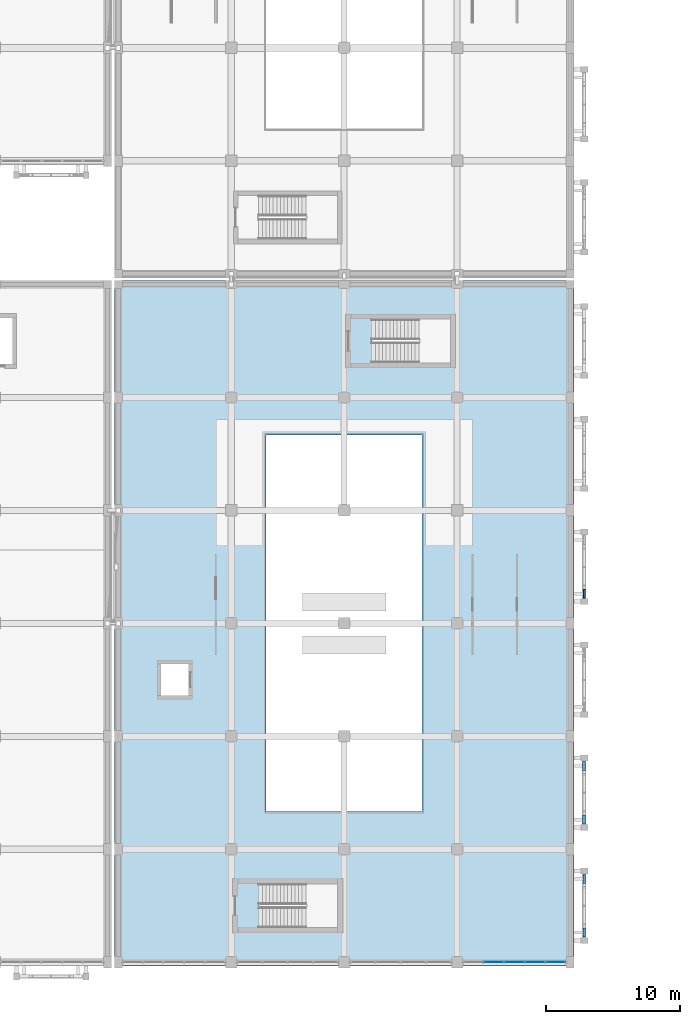
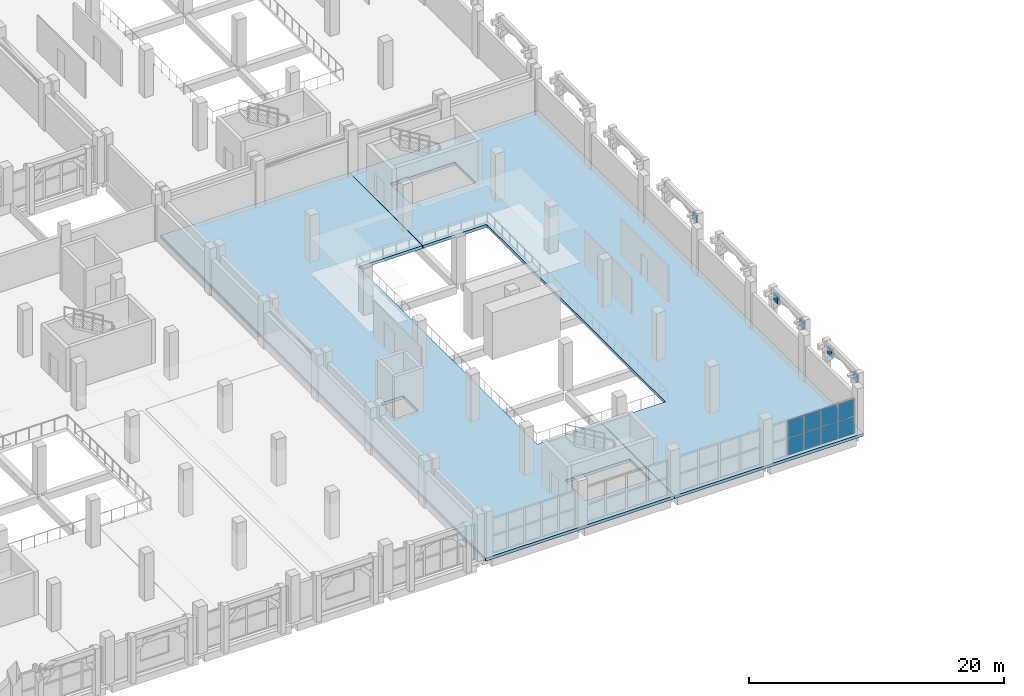
# One storey, part 94 of 137: 13 plates, 2 slabs, 1 element without a shape of its own.
"""IFC4 building model written with IfcOpenShell, lengths in metres."""

from ifc_helpers import new_model, si_unit, direction, frame, origin, origin_2d, place, context, subcontext, project, spatial, polyline, rectangle, outline, extrude, material, layer, layer_set, type_object, element, aggregate, save


model = new_model("IFC4")

# Units and contexts
model_context = context("Model", 3, precision=1e-05, world=origin(), true_north=direction((0.0, 1.0)))
body_context = subcontext(model_context, "Body", "Model", "MODEL_VIEW")
ifc_project = project(units=[si_unit("LENGTHUNIT", "METRE"), si_unit("AREAUNIT", "SQUARE_METRE"), si_unit("VOLUMEUNIT", "CUBIC_METRE"), si_unit("PLANEANGLEUNIT", "RADIAN"), si_unit("MASSUNIT", "GRAM", prefix="KILO")], contexts=[model_context])

# Site, building, storey
site_placement = place(None, origin())
site = spatial("IfcSite", under=ifc_project, at=site_placement, CompositionType="ELEMENT")
building_placement = place(site_placement, origin())
building = spatial("IfcBuilding", under=site, at=building_placement, Name="Xazarin Passage Department Store", CompositionType="ELEMENT")
storey_placement = place(building_placement, frame((0.0, 0.0, 5.39990234375)))
storey = spatial("IfcBuildingStorey", under=building, at=storey_placement, Name="L01", CompositionType="ELEMENT", Elevation=5.39990234375)

# Curtain wall, plates
ifc_material_1 = material(Name="Bronze anodised aluminium", Category="aluminium")
ifc_layer_1 = layer(ifc_material_1, 0.159912109375)
ifc_layer_set_1 = layer_set([ifc_layer_1], Name="Bronze anodised aluminium")
curtain_wall_type = type_object("IfcCurtainWallType", Name="ARC-CW-ARC1", PredefinedType="NOTDEFINED", material=ifc_layer_set_1)
curtain_wall_placement = place(storey_placement, origin())
curtain_wall = element("IfcCurtainWall", 1, at=curtain_wall_placement, inside=storey, type_object=curtain_wall_type, Name="L01 V2S Curtain Wall 103", PredefinedType="NOTDEFINED")
ifc_material_2 = material(Name="Low-E laminated safety glass", Category="glass")
ifc_layer_2 = layer(ifc_material_2, 0.028076171875)
ifc_layer_set_2 = layer_set([ifc_layer_2], Name="Low-E laminated safety glass")
plate_type_1 = type_object("IfcPlateType", Name="ARC-CWP-GLZ28", PredefinedType="CURTAIN_PANEL", material=ifc_layer_set_2)
plate_1_placement = place(storey_placement, frame((95.927490234375, 0.0, 0.065185546875), z_axis=(0.0, 0.0, 1.0), x_axis=(1.0, 0.0, 0.0)))
plate_1 = element("IfcPlate", 2, at=plate_1_placement, type_object=plate_type_1, Name="CW3 panel 2.1", PredefinedType="CURTAIN_PANEL", context=body_context, shape_type="SweptSolid", body=[
    extrude(rectangle(XDim=1.469970703125, YDim=0.028076171875, at=origin_2d()), origin(), (0.0, 0.0, 1.0), 1.62744140625),
])
plate_2_placement = place(storey_placement, frame((95.927490234375, 0.0, 1.757568359375), z_axis=(0.0, 0.0, 1.0), x_axis=(1.0, 0.0, 0.0)))
plate_2 = element("IfcPlate", 3, at=plate_2_placement, type_object=plate_type_1, Name="CW3 panel 2.2", PredefinedType="CURTAIN_PANEL", context=body_context, shape_type="SweptSolid", body=[
    extrude(rectangle(XDim=1.469970703125, YDim=0.028076171875, at=origin_2d()), origin(), (0.0, 0.0, 1.0), 1.62744140625),
])
plate_3_placement = place(storey_placement, frame((97.46240234375, 0.0, 0.065185546875), z_axis=(0.0, 0.0, 1.0), x_axis=(1.0, 0.0, 0.0)))
plate_3 = element("IfcPlate", 4, at=plate_3_placement, type_object=plate_type_1, Name="CW3 panel 3.1", PredefinedType="CURTAIN_PANEL", context=body_context, shape_type="SweptSolid", body=[
    extrude(rectangle(XDim=1.469970703125, YDim=0.028076171875, at=origin_2d()), origin(), (0.0, 0.0, 1.0), 1.62744140625),
])
plate_4_placement = place(storey_placement, frame((97.46240234375, 0.0, 1.757568359375), z_axis=(0.0, 0.0, 1.0), x_axis=(1.0, 0.0, 0.0)))
plate_4 = element("IfcPlate", 5, at=plate_4_placement, type_object=plate_type_1, Name="CW3 panel 3.2", PredefinedType="CURTAIN_PANEL", context=body_context, shape_type="SweptSolid", body=[
    extrude(rectangle(XDim=1.469970703125, YDim=0.028076171875, at=origin_2d()), origin(), (0.0, 0.0, 1.0), 1.62744140625),
])
plate_5_placement = place(storey_placement, frame((98.99755859375, 0.0, 0.065185546875), z_axis=(0.0, 0.0, 1.0), x_axis=(1.0, 0.0, 0.0)))
plate_5 = element("IfcPlate", 6, at=plate_5_placement, type_object=plate_type_1, Name="CW3 panel 4.1", PredefinedType="CURTAIN_PANEL", context=body_context, shape_type="SweptSolid", body=[
    extrude(rectangle(XDim=1.469970703125, YDim=0.028076171875, at=origin_2d()), origin(), (0.0, 0.0, 1.0), 1.62744140625),
])
plate_6_placement = place(storey_placement, frame((98.99755859375, 0.0, 1.757568359375), z_axis=(0.0, 0.0, 1.0), x_axis=(1.0, 0.0, 0.0)))
plate_6 = element("IfcPlate", 7, at=plate_6_placement, type_object=plate_type_1, Name="CW3 panel 4.2", PredefinedType="CURTAIN_PANEL", context=body_context, shape_type="SweptSolid", body=[
    extrude(rectangle(XDim=1.469970703125, YDim=0.028076171875, at=origin_2d()), origin(), (0.0, 0.0, 1.0), 1.62744140625),
])
plate_7_placement = place(storey_placement, frame((100.516357421875, 0.0, 0.065185546875), z_axis=(0.0, 0.0, 1.0), x_axis=(1.0, 0.0, 0.0)))
plate_7 = element("IfcPlate", 8, at=plate_7_placement, type_object=plate_type_1, Name="CW3 panel 5.1", PredefinedType="CURTAIN_PANEL", context=body_context, shape_type="SweptSolid", body=[
    extrude(rectangle(XDim=1.4375, YDim=0.028076171875, at=origin_2d()), origin(), (0.0, 0.0, 1.0), 1.62744140625),
])
plate_8_placement = place(storey_placement, frame((100.516357421875, 0.0, 1.757568359375), z_axis=(0.0, 0.0, 1.0), x_axis=(1.0, 0.0, 0.0)))
plate_8 = element("IfcPlate", 9, at=plate_8_placement, type_object=plate_type_1, Name="CW3 panel 5.2", PredefinedType="CURTAIN_PANEL", context=body_context, shape_type="SweptSolid", body=[
    extrude(rectangle(XDim=1.4375, YDim=0.028076171875, at=origin_2d()), origin(), (0.0, 0.0, 1.0), 1.62744140625),
])
aggregate(curtain_wall, [plate_1, plate_2, plate_3, plate_4, plate_5, plate_6, plate_7, plate_8])

# Plates
ifc_material_3 = material(Name="Precast concrete C40/50", Category="concrete")
ifc_layer_3 = layer(ifc_material_3, 0.139892578125)
ifc_layer_set_3 = layer_set([ifc_layer_3], Name="Precast concrete C40/50")
plate_type_2 = type_object("IfcPlateType", Name="ARC-PLT-SCR-07", PredefinedType="USERDEFINED", material=ifc_layer_set_3)
plate_9_placement = place(storey_placement, frame((102.64990234375, 27.39990234375, 3.26025390625), z_axis=(0.0, 0.0, 1.0), x_axis=(0.0, 1.0, 0.0)))
element("IfcPlate", 10, at=plate_9_placement, inside=storey, type_object=plate_type_2, Name="L01 V2S Arch Spandrel Tympanum 0187", ObjectType="SCREEN PANEL", PredefinedType="USERDEFINED", context=body_context, shape_type="SweptSolid", body=[
    extrude(rectangle(XDim=0.679931640625, YDim=0.139892578125, at=origin_2d()), origin(), (0.0, 0.0, 1.0), 0.719970703125),
])
ifc_layer_4 = layer(ifc_material_3, 0.159912109375)
ifc_layer_set_4 = layer_set([ifc_layer_4], Name="Precast concrete C40/50")
plate_type_3 = type_object("IfcPlateType", Name="ARC-PLT-SCR-09", PredefinedType="USERDEFINED", material=ifc_layer_set_4)
for number, where, z_axis, x_axis, name in (
    (11, (102.64990234375, 2.199951171875, 3.26025390625), (0.0, 0.0, 1.0), (0.0, 1.0, 0.0), "L01 V2S Arch Spandrel Tympanum 0169"),
    (12, (102.64990234375, 6.199951171875, 3.26025390625), (0.0, 0.0, 1.0), (0.0, 1.0, 0.0), "L01 V2S Arch Spandrel Tympanum 0170"),
):
    element("IfcPlate", number, at=place(storey_placement, frame(where, z_axis=z_axis, x_axis=x_axis)), inside=storey, type_object=plate_type_3, Name=name, ObjectType="SCREEN PANEL", PredefinedType="USERDEFINED", context=body_context, shape_type="SweptSolid", body=[
        extrude(rectangle(XDim=0.679931640625, YDim=0.159912109375, at=origin_2d()), origin(), (0.0, 0.0, 1.0), 0.719970703125),
    ])
ifc_layer_5 = layer(ifc_material_3, 0.219970703125)
ifc_layer_set_5 = layer_set([ifc_layer_5], Name="Precast concrete C40/50")
plate_type_4 = type_object("IfcPlateType", Name="ARC-PLT-SCR-15", PredefinedType="USERDEFINED", material=ifc_layer_set_5)
for number, where, z_axis, x_axis, name in (
    (13, (102.64990234375, 10.60009765625, 3.26025390625), (0.0, 0.0, 1.0), (0.0, 1.0, 0.0), "L01 V2S Arch Spandrel Tympanum 0175"),
    (14, (102.64990234375, 14.60009765625, 3.26025390625), (0.0, 0.0, 1.0), (0.0, 1.0, 0.0), "L01 V2S Arch Spandrel Tympanum 0176"),
):
    element("IfcPlate", number, at=place(storey_placement, frame(where, z_axis=z_axis, x_axis=x_axis)), inside=storey, type_object=plate_type_4, Name=name, ObjectType="SCREEN PANEL", PredefinedType="USERDEFINED", context=body_context, shape_type="SweptSolid", body=[
        extrude(rectangle(XDim=0.679931640625, YDim=0.219970703125, at=origin_2d()), origin(), (0.0, 0.0, 1.0), 0.719970703125),
    ])

# Slabs
ifc_material_4 = material(Name="Concrete C35/45", Category="concrete")
ifc_layer_6 = layer(ifc_material_4, 0.280029296875)
ifc_layer_set_6 = layer_set([ifc_layer_6], Name="Concrete C35/45")
slab_type = type_object("IfcSlabType", Name="STR-SLB-FLR280", PredefinedType="FLOOR", material=ifc_layer_set_6)
slab_1_placement = place(storey_placement, frame((0.0, 0.0, -0.27978515625)))
element("IfcSlab", 15, at=slab_1_placement, inside=storey, type_object=slab_type, Name="L01 V2S Suspended Floor Slab Bay 1", PredefinedType="FLOOR", context=body_context, shape_type="SweptSolid", body=[
    extrude(outline(polyline([(67.699951171875, -0.300048828125), (84.7900390625, -0.300048828125), (84.7900390625, 11.199951171875), (79.0, 11.199951171875), (79.0, 39.199951171875), (84.7900390625, 39.199951171875), (84.7900390625, 50.699951171875), (67.699951171875, 50.699951171875), (67.699951171875, -0.300048828125)]), holes=[polyline([(78.451904296875, 5.820068359375), (84.300048828125, 5.820068359375), (84.300048828125, 2.580078125), (78.451904296875, 2.580078125), (78.451904296875, 5.820068359375)]), polyline([(71.179931640625, 19.830078125), (71.179931640625, 22.169921875), (73.219970703125, 22.169921875), (73.219970703125, 19.830078125), (71.179931640625, 19.830078125)])]), origin(), (0.0, 0.0, 1.0), 0.27978515625),
])
slab_2_placement = place(storey_placement, frame((0.0, 0.0, -0.27978515625)))
element("IfcSlab", 16, at=slab_2_placement, inside=storey, type_object=slab_type, Name="L01 V2S Suspended Floor Slab Bay 2", PredefinedType="FLOOR", context=body_context, shape_type="SweptSolid", body=[
    extrude(outline(polyline([(84.81005859375, 50.699951171875), (84.81005859375, 39.199951171875), (90.60009765625, 39.199951171875), (90.60009765625, 11.199951171875), (84.81005859375, 11.199951171875), (84.81005859375, -0.300048828125), (101.89990234375, -0.300048828125), (101.89990234375, 50.699951171875), (84.81005859375, 50.699951171875)]), holes=[polyline([(86.85205078125, 47.820068359375), (92.699951171875, 47.820068359375), (92.699951171875, 44.580078125), (86.85205078125, 44.580078125), (86.85205078125, 47.820068359375)])]), origin(), (0.0, 0.0, 1.0), 0.27978515625),
])

save(model, "model.ifc")
